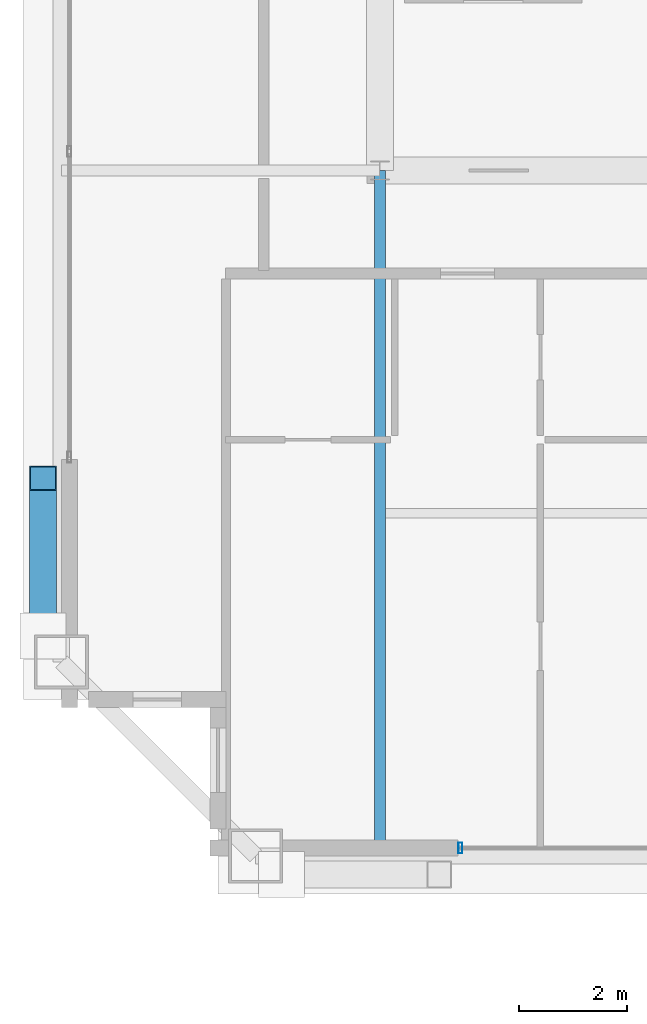
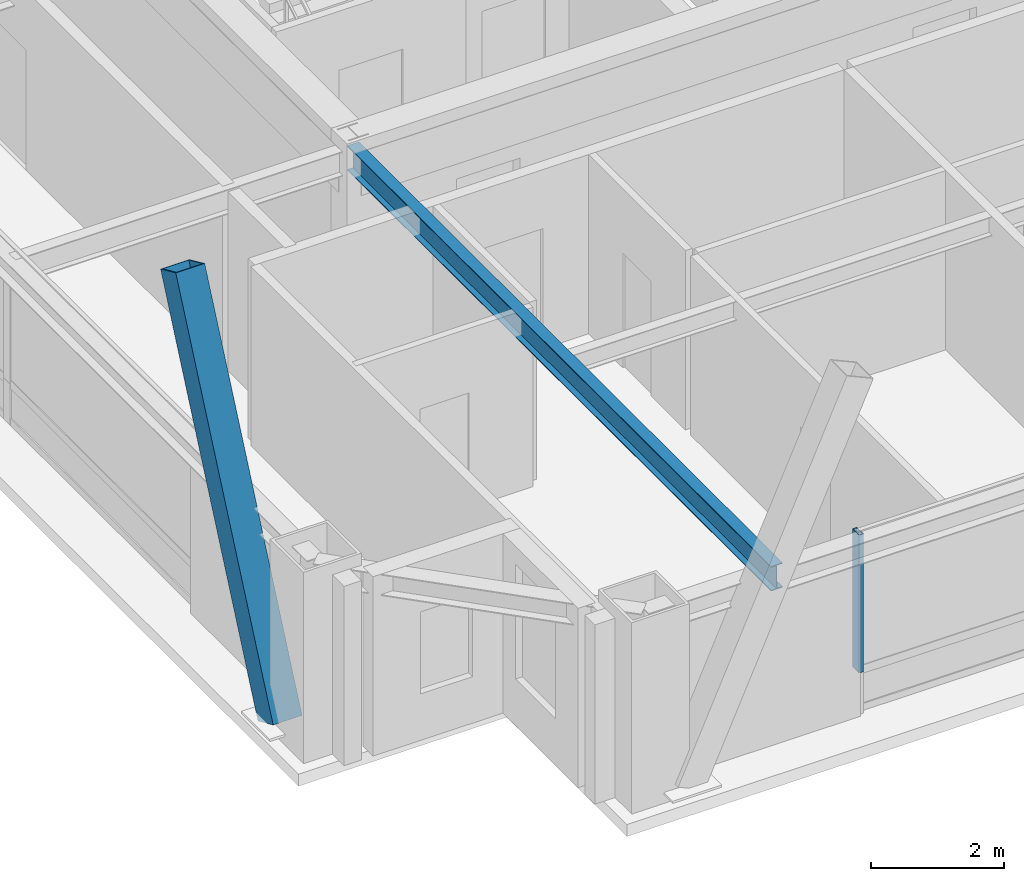
# One storey, part 4 of 35: 2 members, 1 beam, 1 element without a shape of its own.
"""IFC4 building model written with IfcOpenShell, lengths in metres."""

from ifc_helpers import new_model, si_unit, direction, frame, origin, origin_2d, place, context, subcontext, project, spatial, hollow_rectangle, i_section, extrude, source, transform, mapped, material, layer, layer_set, material_profile, profile_set, type_object, element, aggregate, save


model = new_model("IFC4")

# Units and contexts
model_context = context("Model", 3, precision=1e-05, world=origin(), true_north=direction((0.0, 1.0)))
body_context = subcontext(model_context, "Body", "Model", "MODEL_VIEW")
ifc_project = project(units=[si_unit("LENGTHUNIT", "METRE"), si_unit("AREAUNIT", "SQUARE_METRE"), si_unit("VOLUMEUNIT", "CUBIC_METRE"), si_unit("PLANEANGLEUNIT", "RADIAN"), si_unit("MASSUNIT", "GRAM", prefix="KILO"), si_unit("THERMODYNAMICTEMPERATUREUNIT", "KELVIN"), si_unit("POWERUNIT", "WATT")], contexts=[model_context])

# Site, building, storey
site_placement = place(None, origin())
site = spatial("IfcSite", under=ifc_project, at=site_placement, CompositionType="ELEMENT")
building_placement = place(site_placement, origin())
building = spatial("IfcBuilding", under=site, at=building_placement, Name="Yuzanri Waterfront Tower", CompositionType="ELEMENT")
storey_placement = place(building_placement, frame((0.0, 0.0, 314.699951171875)))
storey = spatial("IfcBuildingStorey", under=building, at=storey_placement, Name="L84", CompositionType="ELEMENT", Elevation=314.699951171875)

# Beam
ifc_material_1 = material(Name="Steel Q355B", Category="steel")
ifc_material_profile_1 = material_profile(ifc_material_1, i_section(OverallWidth=0.199951171875, OverallDepth=0.449951171875, WebThickness=0.009033203125, FlangeThickness=0.013916015625, at=origin_2d()), Name="HN 450x200x9x14")
ifc_profile_set_1 = profile_set([ifc_material_profile_1], Name="Steel Q355B")
beam_type = type_object("IfcBeamType", Name="Secondary Floor Beam Q355B HN 450x200", PredefinedType="BEAM", material=ifc_profile_set_1)
shared_shape_1 = source(origin(), body_context, "Body", "SweptSolid", [
    extrude(i_section(OverallWidth=0.199951171875, OverallDepth=0.449951171875, WebThickness=0.009033203125, FlangeThickness=0.013916015625, at=origin_2d()), origin(), (0.0, 0.0, 1.0), 12.699951171875),
])
beam_placement = place(storey_placement, frame((23.800048828125, 19.39990234375, 3.054931640625), z_axis=(0.0, -1.0, 0.0), x_axis=(1.0, 0.0, 0.0)))
element("IfcBeam", 1, at=beam_placement, inside=storey, type_object=beam_type, Name="L84 South-West Core Line Beam", PredefinedType="BEAM", context=body_context, shape_type="MappedRepresentation", body=[
    mapped(shared_shape_1, transform((0.0, 0.0, 0.0), scale=1.0)),
])

# Member
ifc_material_2 = material(Name="Steel Q390GJC", Category="steel")
ifc_material_profile_2 = material_profile(ifc_material_2, hollow_rectangle(XDim=0.5, YDim=0.5, WallThickness=0.02197265625, at=origin_2d()), Name="RHS 500x500x22")
ifc_profile_set_2 = profile_set([ifc_material_profile_2], Name="Steel Q390GJC")
member_type_1 = type_object("IfcMemberType", Name="Mega Brace Upper Q390GJC RHS 500x500x22", PredefinedType="BRACE", material=ifc_profile_set_2)
shared_shape_2 = source(origin(), body_context, "Body", "SweptSolid", [
    extrude(hollow_rectangle(XDim=0.5, YDim=0.5, WallThickness=0.02197265625, at=origin_2d()), origin(), (0.0, 0.0, 1.0), 7.125732421875),
])
member_1_placement = place(storey_placement, frame((17.56005859375, 10.780029296875, 0.179931640625), z_axis=(0.0, 0.409771952938, 0.912187999584), x_axis=(-1.0, 0.0, 0.0)))
element("IfcMember", 2, at=member_1_placement, inside=storey, type_object=member_type_1, Name="L84-L85 Perimeter Mega-Brace W-L", PredefinedType="BRACE", context=body_context, shape_type="MappedRepresentation", body=[
    mapped(shared_shape_2, transform((0.0, 0.0, 0.0), scale=1.0)),
])

# Curtain wall, member
ifc_material_3 = material(Name="Anodized Architectural Bronze", Category="metal")
ifc_layer = layer(ifc_material_3, 0.159912109375)
ifc_layer_set = layer_set([ifc_layer], Name="Anodized Architectural Bronze")
curtain_wall_type = type_object("IfcCurtainWallType", Name="Anodized Bronze High-Rise Penthouse High-Wind Unitized Curtain Wall 6900", PredefinedType="NOTDEFINED", material=ifc_layer_set)
curtain_wall_placement = place(storey_placement, origin())
curtain_wall = element("IfcCurtainWall", 3, at=curtain_wall_placement, inside=storey, type_object=curtain_wall_type, Name="L84 Curtain Wall CW-L84-SL1", PredefinedType="NOTDEFINED")
ifc_material_4 = material(Name="Anodized Architectural Bronze", Category="metal")
ifc_material_profile_3 = material_profile(ifc_material_4, hollow_rectangle(XDim=0.074951171875, YDim=0.199951171875, WallThickness=0.00390625, at=origin_2d()), Name="CWM 75x200")
ifc_profile_set_3 = profile_set([ifc_material_profile_3], Name="Anodized Architectural Bronze")
member_type_2 = type_object("IfcMemberType", Name="Anodized Bronze Primary Curtain-Wall Mullion 75x200", PredefinedType="MULLION", material=ifc_profile_set_3)
shared_shape_3 = source(origin(), body_context, "Body", "SweptSolid", [
    extrude(hollow_rectangle(XDim=0.074951171875, YDim=0.199951171875, WallThickness=0.00390625, at=origin_2d()), origin(), (0.0, 0.0, 1.0), 2.52392578125),
])
member_2_placement = place(storey_placement, frame((25.2900390625, 6.85009765625, 0.756103515625), z_axis=(0.0, 0.0, 1.0), x_axis=(1.0, 0.0, 0.0)))
member_2 = element("IfcMember", 4, at=member_2_placement, type_object=member_type_2, Name="CW-L84-SL1 Upper Mullion 00", PredefinedType="MULLION", context=body_context, shape_type="MappedRepresentation", body=[
    mapped(shared_shape_3, transform((0.0, 0.0, 0.0), scale=1.0)),
])
aggregate(curtain_wall, [member_2])

save(model, "model.ifc")
